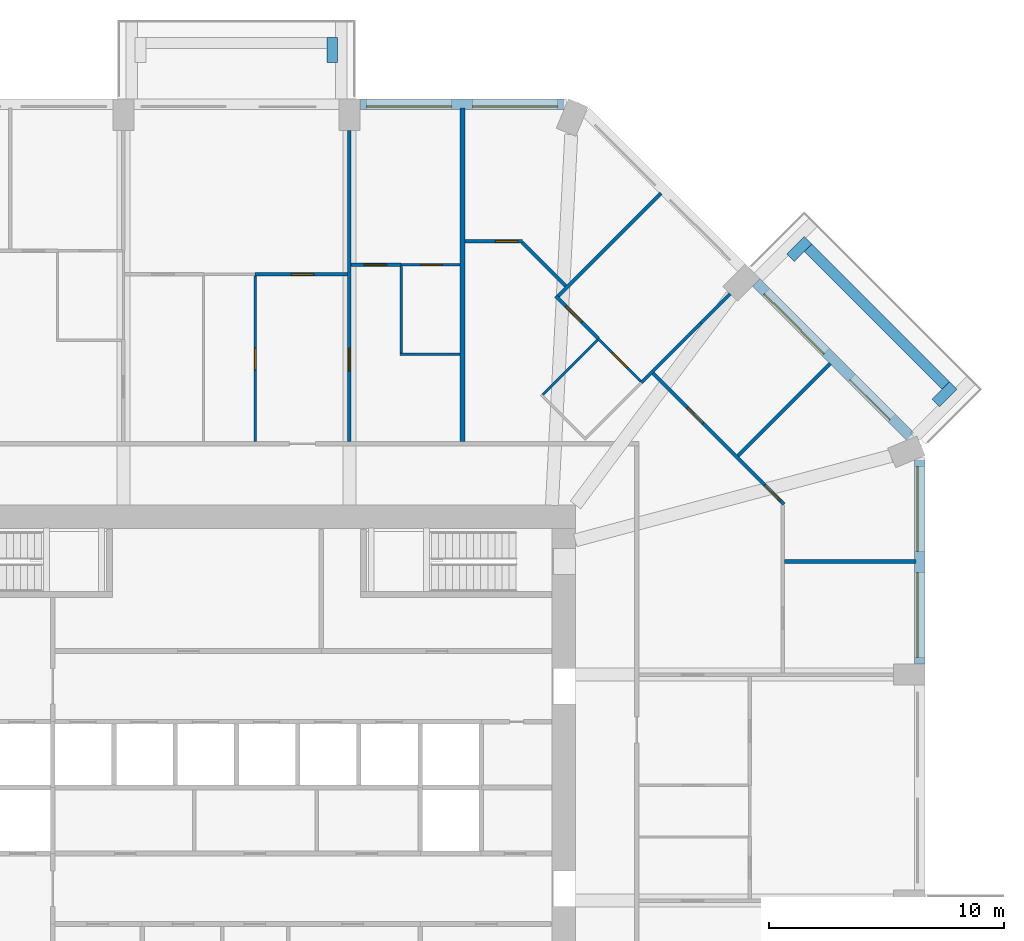
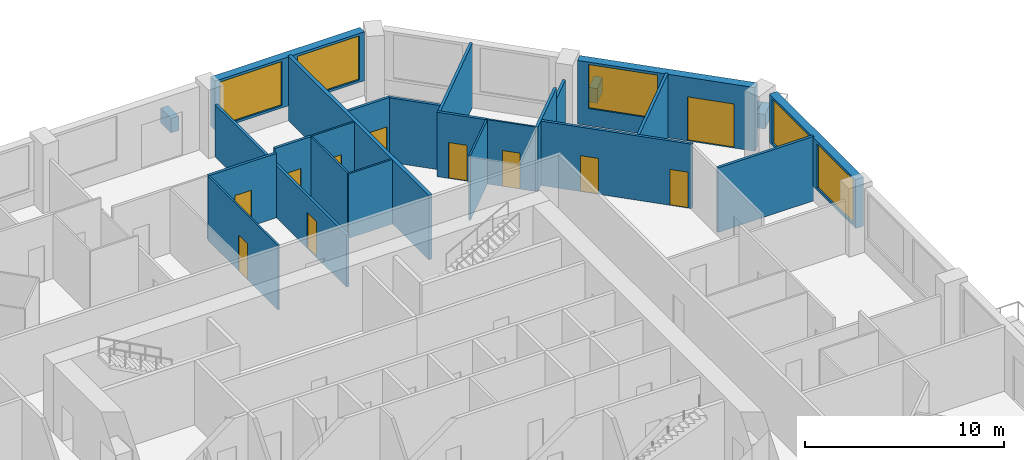
# One storey, part 10 of 13: 26 walls, 11 doors, 5 windows, 16 openings.
"""IFC4 building model written with IfcOpenShell, lengths in metres."""

import ifcopenshell
import ifcopenshell.guid

model = None  # the IFC model being written
_history = None  # IfcOwnerHistory: only IFC2X3 demands one
_inside = {}  # id of a spatial element -> (the spatial element, [elements in it])
_under = {}  # id of a project, library or spatial element -> (it, [spatial elements below it])
_declared = {}  # id of a project -> (the project, [libraries it declares])
_typed = {}  # id of a type object -> (the type object, [elements of that type])
_made_of = {}  # id of a material, layer set ... -> (it, [elements and type objects made of it])


def new_model(schema):
    """Start an empty IFC model of exactly this schema.

    Asked for "IFC4X3", IfcOpenShell would pick the latest addendum, in which some entities
    have other attributes; the version numbers below select the first issue.
    IFC2X3 requires an IfcOwnerHistory on every rooted entity: one is made here for all.
    """
    global model, _history
    if schema == "IFC4X3":
        model = ifcopenshell.file(schema_version=(4, 3, 0, 0))
    else:
        model = ifcopenshell.file(schema=schema)
    _inside.clear()
    _under.clear()
    _declared.clear()
    _typed.clear()
    _made_of.clear()
    _history = None
    if model.schema == "IFC2X3":
        org = make("IfcOrganization", Name="unknown")
        user = make(
            "IfcPersonAndOrganization",
            ThePerson=make("IfcPerson", FamilyName="unknown"),
            TheOrganization=org,
        )
        app = make(
            "IfcApplication",
            ApplicationDeveloper=org,
            Version="unknown",
            ApplicationFullName="unknown",
            ApplicationIdentifier="unknown",
        )
        _history = make(
            "IfcOwnerHistory",
            OwningUser=user,
            OwningApplication=app,
            ChangeAction="ADDED",
            CreationDate=0,
        )
    return model


def make(cls, **values):
    """One entity of the class cls with the attributes given. An attribute that is None is left unset."""
    return model.create_entity(
        cls, **{name: value for name, value in values.items() if value is not None}
    )


def rooted(cls, **values):
    """An entity with a GlobalId (a new one), such as an element, a storey or a relation."""
    return make(cls, GlobalId=ifcopenshell.guid.new(), OwnerHistory=_history, **values)


def si_unit(unit_type, name, prefix=None):
    """IfcSIUnit, for example si_unit("LENGTHUNIT", "METRE", prefix="MILLI")."""
    return make("IfcSIUnit", UnitType=unit_type, Prefix=prefix, Name=name)


def assignment(units):
    """IfcUnitAssignment: the units of a project."""
    return None if units is None else make("IfcUnitAssignment", Units=units)


def point(xyz):
    """IfcCartesianPoint."""
    return None if xyz is None else make("IfcCartesianPoint", Coordinates=xyz)


def direction(xyz):
    """IfcDirection."""
    return None if xyz is None else make("IfcDirection", DirectionRatios=xyz)


def frame(location, z_axis=None, x_axis=None):
    """IfcAxis2Placement3D, a coordinate frame: its origin and axes. An axis left out is left unset."""
    return make(
        "IfcAxis2Placement3D",
        Location=point(location),
        Axis=direction(z_axis),
        RefDirection=direction(x_axis),
    )


def frame_2d(location, x_axis=None):
    """IfcAxis2Placement2D, a coordinate frame in the plane: its origin and x axis."""
    return make(
        "IfcAxis2Placement2D", Location=point(location), RefDirection=direction(x_axis)
    )


def origin():
    """The frame at (0, 0, 0) with its axes left unset."""
    return frame((0.0, 0.0, 0.0))


def place(relative_to, where):
    """IfcLocalPlacement: puts the frame where relative to a parent placement (None: the world)."""
    return make(
        "IfcLocalPlacement", PlacementRelTo=relative_to, RelativePlacement=where
    )


def context(
    kind, dimensions, precision=None, world=None, true_north=None, identifier=None
):
    """IfcGeometricRepresentationContext, for example the 3D "Model" context."""
    return make(
        "IfcGeometricRepresentationContext",
        ContextIdentifier=identifier,
        ContextType=kind,
        CoordinateSpaceDimension=dimensions,
        Precision=precision,
        WorldCoordinateSystem=world,
        TrueNorth=true_north,
    )


def subcontext(parent, identifier, kind, view, scale=None):
    """IfcGeometricRepresentationSubContext, for example "Body" below "Model"."""
    return make(
        "IfcGeometricRepresentationSubContext",
        ContextIdentifier=identifier,
        ContextType=kind,
        ParentContext=parent,
        TargetScale=scale,
        TargetView=view,
    )


def project(units=None, contexts=None):
    """IfcProject with its units and contexts."""
    return rooted(
        "IfcProject",
        Name="project",
        RepresentationContexts=contexts,
        UnitsInContext=assignment(units),
    )


def spatial(cls, under=None, at=None, **own):
    """A site, building, storey or space (cls), placed at a placement, below another one or the project."""
    s = rooted(cls, ObjectPlacement=at, **own)
    if under is not None:
        _under.setdefault(under.id(), (under, []))[1].append(s)
    return s


def profile(cls, at=None, kind="AREA", **sizes):
    """A parametric profile (cls). Its sizes go by their IFC names, for example OverallWidth=200.0."""
    return make(cls, ProfileType=kind, Position=at, **sizes)


def rectangle(**sizes):
    """IfcRectangleProfileDef."""
    return profile("IfcRectangleProfileDef", **sizes)


def extrude(swept, where, along, depth):
    """IfcExtrudedAreaSolid: the profile swept, set in the frame where, extruded along a direction by depth."""
    return make(
        "IfcExtrudedAreaSolid",
        SweptArea=swept,
        Position=where,
        ExtrudedDirection=direction(along),
        Depth=depth,
    )


def shape(context_of_items, identifier, shape_type, items):
    """IfcShapeRepresentation: the items that make up one representation, for example the "Body"."""
    return make(
        "IfcShapeRepresentation",
        ContextOfItems=context_of_items,
        RepresentationIdentifier=identifier,
        RepresentationType=shape_type,
        Items=items,
    )


def material(Name=None, Category=None):
    """IfcMaterial."""
    return make("IfcMaterial", Name=Name, Category=Category)


def layer(
    of_material, thickness, ventilated=None, Name=None, Category=None, Priority=None
):
    """IfcMaterialLayer: one layer of a wall or slab, of a material (None: an air gap)."""
    return make(
        "IfcMaterialLayer",
        Material=of_material,
        LayerThickness=thickness,
        IsVentilated=ventilated,
        Name=Name,
        Category=Category,
        Priority=Priority,
    )


def layer_set(layers, Name=None):
    """IfcMaterialLayerSet."""
    return make("IfcMaterialLayerSet", MaterialLayers=layers, LayerSetName=Name)


def made_of(thing, what):
    """Note that an element or type object is made of a material, layer set ...; save() writes the relation."""
    if what is not None:
        _made_of.setdefault(what.id(), (what, []))[1].append(thing)
    return thing


def type_object(cls, material=None, **own):
    """A type object (cls), such as IfcWallType, which elements share."""
    return made_of(rooted(cls, **own), material)


def element(
    cls,
    number,
    at=None,
    inside=None,
    cuts=None,
    type_object=None,
    material=None,
    context=None,
    identifier="Body",
    shape_type=None,
    held_by="IfcProductDefinitionShape",
    body=None,
    shapes=None,
    **own,
):
    """One element of the class cls, such as IfcWall. Its Tag is "e" and its number.

    at: its placement. inside: the storey or other place that contains it. cuts: it is an
    opening in that element (IfcRelVoidsElement). A single representation is given by context,
    identifier, shape_type and body (its items); several are given by shapes. held_by: the class
    of the entity that holds the representations. save() writes the other relations.
    """
    e = rooted(cls, Tag="e%d" % number, ObjectPlacement=at, **own)
    if body is not None:
        shapes = [shape(context, identifier, shape_type, body)]
    if shapes is not None:
        e.Representation = make(held_by, Representations=shapes)
    if inside is not None:
        _inside.setdefault(inside.id(), (inside, []))[1].append(e)
    if cuts is not None:
        rooted(
            "IfcRelVoidsElement", RelatingBuildingElement=cuts, RelatedOpeningElement=e
        )
    if type_object is not None:
        _typed.setdefault(type_object.id(), (type_object, []))[1].append(e)
    return made_of(e, material)


def fill(opening, filler):
    """IfcRelFillsElement: the door or window that sits in an opening."""
    return rooted(
        "IfcRelFillsElement",
        RelatingOpeningElement=opening,
        RelatedBuildingElement=filler,
    )


def aggregate(whole, parts):
    """IfcRelAggregates: a whole, such as a stair, and the parts it consists of."""
    return rooted("IfcRelAggregates", RelatingObject=whole, RelatedObjects=parts)


def save(model, path):
    """Write the relations noted so far, then the file.

    IfcRelAggregates (storeys below a building ...), IfcRelContainedInSpatialStructure (elements
    in a storey), IfcRelDefinesByType, IfcRelAssociatesMaterial and IfcRelDeclares: one each for
    every whole, place, type object, material and project.
    """
    for whole, parts in _under.values():
        aggregate(whole, parts)
    for where, things in _inside.values():
        rooted(
            "IfcRelContainedInSpatialStructure",
            RelatedElements=things,
            RelatingStructure=where,
        )
    for kind, things in _typed.values():
        rooted("IfcRelDefinesByType", RelatedObjects=things, RelatingType=kind)
    for what, things in _made_of.values():
        rooted("IfcRelAssociatesMaterial", RelatedObjects=things, RelatingMaterial=what)
    for by, libraries in _declared.values():
        rooted("IfcRelDeclares", RelatingContext=by, RelatedDefinitions=libraries)
    model.write(path)


model = new_model("IFC4")

# Units and contexts
model_context = context("Model", 3, precision=1e-05, world=origin(), true_north=direction((0.0, 1.0)))
body_context = subcontext(model_context, "Body", "Model", "MODEL_VIEW")
ifc_project = project(units=[si_unit("LENGTHUNIT", "METRE"), si_unit("AREAUNIT", "SQUARE_METRE"), si_unit("VOLUMEUNIT", "CUBIC_METRE"), si_unit("PLANEANGLEUNIT", "RADIAN"), si_unit("MASSUNIT", "GRAM", prefix="KILO")], contexts=[model_context])

# Site, building, storey
site_placement = place(None, origin())
site = spatial("IfcSite", under=ifc_project, at=site_placement, CompositionType="ELEMENT")
building_placement = place(site_placement, origin())
building = spatial("IfcBuilding", under=site, at=building_placement, Name="Msitu Wima Residences", CompositionType="ELEMENT")
storey_placement = place(building_placement, frame((0.0, 0.0, 50.699951171875)))
storey = spatial("IfcBuildingStorey", under=building, at=storey_placement, Name="L11", CompositionType="ELEMENT", Elevation=50.699951171875)

# Walls
ifc_material_1 = material(Name="Facing brick")
ifc_layer_1 = layer(ifc_material_1, 0.06494140625, Name="Facing brick")
ifc_material_2 = material(Name="Concrete C40/50", Category="concrete")
ifc_layer_2 = layer(ifc_material_2, 0.156005859375, Name="Concrete C40/50")
ifc_material_3 = material(Name="Waterproofing membrane")
ifc_layer_3 = layer(ifc_material_3, 0.00390625, Name="Waterproofing membrane")
ifc_material_4 = material(Name="Planting soil and planting")
ifc_layer_4 = layer(ifc_material_4, 0.22509765625, Name="Planting soil and planting")
ifc_layer_set_1 = layer_set([ifc_layer_1, ifc_layer_2, ifc_layer_3, ifc_layer_4], Name="Concrete C40/50")
wall_type_1 = type_object("IfcWallType", Name="Balcony planter PLANTER PL450", PredefinedType="USERDEFINED", material=ifc_layer_set_1)
wall_1_placement = place(storey_placement, frame((30.125732421875, 17.0693359375, 0.0), z_axis=(0.0, 0.0, 1.0), x_axis=(-0.707106781187, 0.707106781187, 0.0)))
element("IfcWall", 1, at=wall_1_placement, inside=storey, type_object=wall_type_1, Name="Balcony planter NE0 L11", ObjectType="PLANTER", PredefinedType="USERDEFINED", context=body_context, shape_type="SweptSolid", body=[
    extrude(rectangle(XDim=8.2822265625, YDim=0.449951171875, at=frame_2d((4.14111328125, 0.0))), origin(), (0.0, 0.0, 1.0), 0.900146484375),
])
for number, where, z_axis, x_axis, name in (
    (2, (29.70166015625, 16.326904296875, 0.0), (0.0, 0.0, 1.0), (0.707106781187, 0.707106781187, 0.0), "Balcony planter NE0 L11"),
    (3, (23.52685546875, 22.50146484375, 0.0), (0.0, 0.0, 1.0), (0.706990528533, 0.707223014731, 0.0), "Balcony planter NE0 L11"),
    (4, (4.074951171875, 30.800048828125, 0.0), (0.0, 0.0, 1.0), (0.0, 1.0, 0.0), "Balcony planter N1 L11"),
):
    element("IfcWall", number, at=place(storey_placement, frame(where, z_axis=z_axis, x_axis=x_axis)), inside=storey, type_object=wall_type_1, Name=name, ObjectType="PLANTER", PredefinedType="USERDEFINED", context=body_context, shape_type="SweptSolid", body=[
        extrude(rectangle(XDim=1.050048828125, YDim=0.449951171875, at=frame_2d((0.52490234375, 0.0))), origin(), (0.0, 0.0, 1.0), 0.900146484375),
    ])

# Wall, openings, windows
ifc_material_5 = material(Name="Brick (red buff mix)", Category="masonry")
ifc_layer_5 = layer(ifc_material_5, 0.449951171875)
ifc_layer_set_2 = layer_set([ifc_layer_5], Name="Brick (red buff mix)")
wall_type_2 = type_object("IfcWallType", Name="Brick infill wall BW450", PredefinedType="SOLIDWALL", material=ifc_layer_set_2)
wall_2_placement = place(storey_placement, frame((29.02490234375, 5.25, 0.900146484375), z_axis=(0.0, 0.0, 1.0), x_axis=(0.0, 1.0, 0.0)))
wall_2 = element("IfcWall", 5, at=wall_2_placement, inside=storey, type_object=wall_type_2, Name="Brick infill wall L11 E2", PredefinedType="SOLIDWALL", context=body_context, shape_type="SweptSolid", body=[
    extrude(rectangle(XDim=8.662841796875, YDim=0.449951171875, at=frame_2d((4.33154296875, 0.0))), origin(), (0.0, 0.0, 1.0), 3.0),
])
opening_1_placement = place(wall_2_placement, frame((0.281494140625, 0.0, 0.14990234375)))
opening_1 = element("IfcOpeningElement", 6, at=opening_1_placement, cuts=wall_2, Name="Opening W11-12.004", PredefinedType="OPENING", context=body_context, shape_type="SweptSolid", body=[
    extrude(rectangle(XDim=3.60009765625, YDim=2.699951171875, at=frame_2d((1.800048828125, 1.35009765625))), frame((0.0, 0.23486328125, 0.0), z_axis=(0.0, -1.0, 0.0), x_axis=(1.0, 0.0, 0.0)), (0.0, 0.0, 1.0), 0.469970703125),
])
opening_2_placement = place(wall_2_placement, frame((4.781494140625, 0.0, 0.14990234375)))
opening_2 = element("IfcOpeningElement", 7, at=opening_2_placement, cuts=wall_2, Name="Opening W11-12.005", PredefinedType="OPENING", context=body_context, shape_type="SweptSolid", body=[
    extrude(rectangle(XDim=3.60009765625, YDim=2.699951171875, at=frame_2d((1.800048828125, 1.35009765625))), frame((0.0, 0.23486328125, 0.0), z_axis=(0.0, -1.0, 0.0), x_axis=(1.0, 0.0, 0.0)), (0.0, 0.0, 1.0), 0.469970703125),
])
ifc_material_6 = material(Name="Anodised aluminium, bronze finish, clear low-emissivity double glazing", Category="aluminium")
window_type = type_object("IfcWindowType", Name="Window W3600x2700", PartitioningType="DOUBLE_PANEL_VERTICAL", PredefinedType="WINDOW", material=ifc_material_6)
window_1_placement = place(opening_1_placement, origin())
window_1 = element("IfcWindow", 8, at=window_1_placement, inside=storey, type_object=window_type, Name="Window L11 E2.1", OverallHeight=2.699951171875, OverallWidth=3.60009765625, PartitioningType="SINGLE_PANEL", PredefinedType="WINDOW", context=body_context, shape_type="SweptSolid", body=[
    extrude(rectangle(XDim=3.60009765625, YDim=2.699951171875, at=frame_2d((1.800048828125, 1.35009765625))), frame((0.0, 0.135009765625, 0.0), z_axis=(0.0, -1.0, 0.0), x_axis=(1.0, 0.0, 0.0)), (0.0, 0.0, 1.0), 0.06005859375),
])
fill(opening_1, window_1)
window_2_placement = place(opening_2_placement, origin())
window_2 = element("IfcWindow", 9, at=window_2_placement, inside=storey, type_object=window_type, Name="Window L11 E2.2", OverallHeight=2.699951171875, OverallWidth=3.60009765625, PartitioningType="SINGLE_PANEL", PredefinedType="WINDOW", context=body_context, shape_type="SweptSolid", body=[
    extrude(rectangle(XDim=3.60009765625, YDim=2.699951171875, at=frame_2d((1.800048828125, 1.35009765625))), frame((0.0, 0.135009765625, 0.0), z_axis=(0.0, -1.0, 0.0), x_axis=(1.0, 0.0, 0.0)), (0.0, 0.0, 1.0), 0.06005859375),
])
fill(opening_2, window_2)

# Wall, openings, door, window
wall_3_placement = place(storey_placement, frame((28.61474609375, 14.903564453125, 0.0), z_axis=(0.0, 0.0, 1.0), x_axis=(-0.707106781187, 0.707106781187, 0.0)))
wall_3 = element("IfcWall", 10, at=wall_3_placement, inside=storey, type_object=wall_type_2, Name="Brick infill wall L11 NE0", PredefinedType="SOLIDWALL", context=body_context, shape_type="SweptSolid", body=[
    extrude(rectangle(XDim=9.2451171875, YDim=0.449951171875, at=frame_2d((4.62255859375, 0.0))), origin(), (0.0, 0.0, 1.0), 3.900146484375),
])
opening_3_placement = place(wall_3_placement, frame((1.111328125, 0.0, 0.0)))
opening_3 = element("IfcOpeningElement", 11, at=opening_3_placement, cuts=wall_3, Name="Opening D11-12.003", PredefinedType="OPENING", context=body_context, shape_type="SweptSolid", body=[
    extrude(rectangle(XDim=2.39990234375, YDim=2.699951171875, at=frame_2d((1.199951171875, 1.35009765625))), frame((0.0, 0.23486328125, 0.0), z_axis=(0.0, -1.0, 0.0), x_axis=(1.0, 0.0, 0.0)), (0.0, 0.0, 1.0), 0.469970703125),
])
opening_4_placement = place(wall_3_placement, frame((5.072509765625, 0.0, 1.050048828125)))
opening_4 = element("IfcOpeningElement", 12, at=opening_4_placement, cuts=wall_3, Name="Opening W11-12.011", PredefinedType="OPENING", context=body_context, shape_type="SweptSolid", body=[
    extrude(rectangle(XDim=3.60009765625, YDim=2.699951171875, at=frame_2d((1.800048828125, 1.35009765625))), frame((0.0, 0.23486328125, 0.0), z_axis=(0.0, -1.0, 0.0), x_axis=(1.0, 0.0, 0.0)), (0.0, 0.0, 1.0), 0.469970703125),
])
door_type_1 = type_object("IfcDoorType", Name="Balcony door D2400x2700", OperationType="SLIDING_TO_LEFT", PredefinedType="DOOR", material=ifc_material_6)
door_1_placement = place(opening_3_placement, origin())
door_1 = element("IfcDoor", 13, at=door_1_placement, inside=storey, type_object=door_type_1, Name="Balcony door L11 NE0", OperationType="SINGLE_SWING_LEFT", OverallHeight=2.699951171875, OverallWidth=2.39990234375, PredefinedType="DOOR", context=body_context, shape_type="SweptSolid", body=[
    extrude(rectangle(XDim=2.39990234375, YDim=2.699951171875, at=frame_2d((1.199951171875, 1.35009765625))), frame((0.0, 0.1298828125, 0.0), z_axis=(0.0, -1.0, 0.0), x_axis=(1.0, 0.0, 0.0)), (0.0, 0.0, 1.0), 0.050048828125),
])
fill(opening_3, door_1)
window_3_placement = place(opening_4_placement, origin())
window_3 = element("IfcWindow", 14, at=window_3_placement, inside=storey, type_object=window_type, Name="Window L11 NE0.2", OverallHeight=2.699951171875, OverallWidth=3.60009765625, PartitioningType="SINGLE_PANEL", PredefinedType="WINDOW", context=body_context, shape_type="SweptSolid", body=[
    extrude(rectangle(XDim=3.60009765625, YDim=2.699951171875, at=frame_2d((1.800048828125, 1.35009765625))), frame((0.0, 0.135009765625, 0.0), z_axis=(0.0, -1.0, 0.0), x_axis=(1.0, 0.0, 0.0)), (0.0, 0.0, 1.0), 0.06005859375),
])
fill(opening_4, window_3)

# Wall, openings, windows
wall_4_placement = place(storey_placement, frame((13.912841796875, 29.02490234375, 0.900146484375), z_axis=(0.0, 0.0, 1.0), x_axis=(-1.0, 0.0, 0.0)))
wall_4 = element("IfcWall", 15, at=wall_4_placement, inside=storey, type_object=wall_type_2, Name="Brick infill wall L11 N0", PredefinedType="SOLIDWALL", context=body_context, shape_type="SweptSolid", body=[
    extrude(rectangle(XDim=8.662841796875, YDim=0.449951171875, at=frame_2d((4.33154296875, 0.0))), origin(), (0.0, 0.0, 1.0), 3.0),
])
opening_5_placement = place(wall_4_placement, frame((0.281494140625, 0.0, 0.14990234375)))
opening_5 = element("IfcOpeningElement", 16, at=opening_5_placement, cuts=wall_4, Name="Opening W11-12.006", PredefinedType="OPENING", context=body_context, shape_type="SweptSolid", body=[
    extrude(rectangle(XDim=3.60009765625, YDim=2.699951171875, at=frame_2d((1.800048828125, 1.35009765625))), frame((0.0, 0.23486328125, 0.0), z_axis=(0.0, -1.0, 0.0), x_axis=(1.0, 0.0, 0.0)), (0.0, 0.0, 1.0), 0.469970703125),
])
opening_6_placement = place(wall_4_placement, frame((4.781494140625, 0.0, 0.14990234375)))
opening_6 = element("IfcOpeningElement", 17, at=opening_6_placement, cuts=wall_4, Name="Opening W11-12.007", PredefinedType="OPENING", context=body_context, shape_type="SweptSolid", body=[
    extrude(rectangle(XDim=3.60009765625, YDim=2.699951171875, at=frame_2d((1.800048828125, 1.35009765625))), frame((0.0, 0.23486328125, 0.0), z_axis=(0.0, -1.0, 0.0), x_axis=(1.0, 0.0, 0.0)), (0.0, 0.0, 1.0), 0.469970703125),
])
window_4_placement = place(opening_5_placement, origin())
window_4 = element("IfcWindow", 18, at=window_4_placement, inside=storey, type_object=window_type, Name="Window L11 N0.1", OverallHeight=2.699951171875, OverallWidth=3.60009765625, PartitioningType="SINGLE_PANEL", PredefinedType="WINDOW", context=body_context, shape_type="SweptSolid", body=[
    extrude(rectangle(XDim=3.60009765625, YDim=2.699951171875, at=frame_2d((1.800048828125, 1.35009765625))), frame((0.0, 0.135009765625, 0.0), z_axis=(0.0, -1.0, 0.0), x_axis=(1.0, 0.0, 0.0)), (0.0, 0.0, 1.0), 0.06005859375),
])
fill(opening_5, window_4)
window_5_placement = place(opening_6_placement, origin())
window_5 = element("IfcWindow", 19, at=window_5_placement, inside=storey, type_object=window_type, Name="Window L11 N0.2", OverallHeight=2.699951171875, OverallWidth=3.60009765625, PartitioningType="SINGLE_PANEL", PredefinedType="WINDOW", context=body_context, shape_type="SweptSolid", body=[
    extrude(rectangle(XDim=3.60009765625, YDim=2.699951171875, at=frame_2d((1.800048828125, 1.35009765625))), frame((0.0, 0.135009765625, 0.0), z_axis=(0.0, -1.0, 0.0), x_axis=(1.0, 0.0, 0.0)), (0.0, 0.0, 1.0), 0.06005859375),
])
fill(opening_6, window_5)

# Wall, opening, door
ifc_material_7 = material(Name="Plaster")
ifc_layer_6 = layer(ifc_material_7, 0.011962890625, Name="Plaster")
ifc_material_8 = material(Name="Concrete blockwork", Category="masonry")
ifc_layer_7 = layer(ifc_material_8, 0.1259765625, Name="Concrete blockwork")
ifc_layer_8 = layer(ifc_material_7, 0.011962890625, Name="Plaster")
ifc_layer_set_3 = layer_set([ifc_layer_6, ifc_layer_7, ifc_layer_8], Name="Concrete blockwork")
wall_type_3 = type_object("IfcWallType", Name="Partition PW150", PredefinedType="PARTITIONING", material=ifc_layer_set_3)
wall_5_placement = place(storey_placement, frame((0.780029296875, 21.800048828125, 0.0), z_axis=(0.0, 0.0, 1.0), x_axis=(1.0, 0.0, 0.0)))
wall_5 = element("IfcWall", 20, at=wall_5_placement, inside=storey, type_object=wall_type_3, Name="Partition", PredefinedType="PARTITIONING", context=body_context, shape_type="SweptSolid", body=[
    extrude(rectangle(XDim=3.945068359375, YDim=0.14990234375, at=frame_2d((1.97265625, 0.0))), origin(), (0.0, 0.0, 1.0), 3.949951171875),
])
opening_7_placement = place(wall_5_placement, frame((1.550048828125, 0.0, 0.0)))
opening_7 = element("IfcOpeningElement", 21, at=opening_7_placement, cuts=wall_5, Name="Opening D11-12.043", PredefinedType="OPENING", context=body_context, shape_type="SweptSolid", body=[
    extrude(rectangle(XDim=0.949951171875, YDim=2.199951171875, at=frame_2d((0.47509765625, 1.10009765625))), frame((0.0, 0.0849609375, 0.0), z_axis=(0.0, -1.0, 0.0), x_axis=(1.0, 0.0, 0.0)), (0.0, 0.0, 1.0), 0.169921875),
])
ifc_material_9 = material(Name="Timber flush door", Category="wood")
door_type_2 = type_object("IfcDoorType", Name="Room door D12 950x2200", OperationType="SINGLE_SWING_LEFT", PredefinedType="DOOR", material=ifc_material_9)
door_2_placement = place(opening_7_placement, origin())
door_2 = element("IfcDoor", 22, at=door_2_placement, inside=storey, type_object=door_type_2, Name="Room door", OperationType="SINGLE_SWING_RIGHT", OverallHeight=2.199951171875, OverallWidth=0.949951171875, PredefinedType="DOOR", context=body_context, shape_type="SweptSolid", body=[
    extrude(rectangle(XDim=0.949951171875, YDim=2.199951171875, at=frame_2d((0.47509765625, 1.10009765625))), frame((0.0, 0.02490234375, 0.0), z_axis=(0.0, -1.0, 0.0), x_axis=(1.0, 0.0, 0.0)), (0.0, 0.0, 1.0), 0.050048828125),
])
fill(opening_7, door_2)

wall_6_placement = place(storey_placement, frame((4.800048828125, 14.699951171875, 0.0), z_axis=(0.0, 0.0, 1.0), x_axis=(0.0, 1.0, 0.0)))
wall_6 = element("IfcWall", 23, at=wall_6_placement, inside=storey, type_object=wall_type_3, Name="Partition", PredefinedType="PARTITIONING", context=body_context, shape_type="SweptSolid", body=[
    extrude(rectangle(XDim=13.199951171875, YDim=0.14990234375, at=frame_2d((6.60009765625, 0.0))), origin(), (0.0, 0.0, 1.0), 3.199951171875),
])
opening_8_placement = place(wall_6_placement, frame((3.0, 0.0, 0.0)))
opening_8 = element("IfcOpeningElement", 24, at=opening_8_placement, cuts=wall_6, Name="Opening D11-12.042", PredefinedType="OPENING", context=body_context, shape_type="SweptSolid", body=[
    extrude(rectangle(XDim=0.949951171875, YDim=2.199951171875, at=frame_2d((0.47509765625, 1.10009765625))), frame((0.0, 0.0849609375, 0.0), z_axis=(0.0, -1.0, 0.0), x_axis=(1.0, 0.0, 0.0)), (0.0, 0.0, 1.0), 0.169921875),
])
door_3_placement = place(opening_8_placement, origin())
door_3 = element("IfcDoor", 25, at=door_3_placement, inside=storey, type_object=door_type_2, Name="Room door", OperationType="SINGLE_SWING_LEFT", OverallHeight=2.199951171875, OverallWidth=0.949951171875, PredefinedType="DOOR", context=body_context, shape_type="SweptSolid", body=[
    extrude(rectangle(XDim=0.949951171875, YDim=2.199951171875, at=frame_2d((0.47509765625, 1.10009765625))), frame((0.0, 0.02490234375, 0.0), z_axis=(0.0, -1.0, 0.0), x_axis=(1.0, 0.0, 0.0)), (0.0, 0.0, 1.0), 0.050048828125),
])
fill(opening_8, door_3)

wall_7_placement = place(storey_placement, frame((4.875, 22.199951171875, 0.0), z_axis=(0.0, 0.0, 1.0), x_axis=(1.0, 0.0, 0.0)))
wall_7 = element("IfcWall", 26, at=wall_7_placement, inside=storey, type_object=wall_type_3, Name="Partition", PredefinedType="PARTITIONING", context=body_context, shape_type="SweptSolid", body=[
    extrude(rectangle(XDim=2.10498046875, YDim=0.14990234375, at=frame_2d((1.052490234375, 0.0))), origin(), (0.0, 0.0, 1.0), 3.949951171875),
])
opening_9_placement = place(wall_7_placement, frame((0.550048828125, 0.0, 0.0)))
opening_9 = element("IfcOpeningElement", 27, at=opening_9_placement, cuts=wall_7, Name="Opening D11-12.045", PredefinedType="OPENING", context=body_context, shape_type="SweptSolid", body=[
    extrude(rectangle(XDim=0.949951171875, YDim=2.199951171875, at=frame_2d((0.47509765625, 1.10009765625))), frame((0.0, 0.0849609375, 0.0), z_axis=(0.0, -1.0, 0.0), x_axis=(1.0, 0.0, 0.0)), (0.0, 0.0, 1.0), 0.169921875),
])
door_4_placement = place(opening_9_placement, origin())
door_4 = element("IfcDoor", 28, at=door_4_placement, inside=storey, type_object=door_type_2, Name="Room door", OperationType="SINGLE_SWING_LEFT", OverallHeight=2.199951171875, OverallWidth=0.949951171875, PredefinedType="DOOR", context=body_context, shape_type="SweptSolid", body=[
    extrude(rectangle(XDim=0.949951171875, YDim=2.199951171875, at=frame_2d((0.47509765625, 1.10009765625))), frame((0.0, 0.02490234375, 0.0), z_axis=(0.0, -1.0, 0.0), x_axis=(1.0, 0.0, 0.0)), (0.0, 0.0, 1.0), 0.050048828125),
])
fill(opening_9, door_4)

wall_8_placement = place(storey_placement, frame((9.699951171875, 23.199951171875, 0.0), z_axis=(0.0, 0.0, 1.0), x_axis=(1.0, 0.0, 0.0)))
wall_8 = element("IfcWall", 29, at=wall_8_placement, inside=storey, type_object=wall_type_3, Name="Partition", PredefinedType="PARTITIONING", context=body_context, shape_type="SweptSolid", body=[
    extrude(rectangle(XDim=2.45556640625, YDim=0.14990234375, at=frame_2d((1.227783203125, 0.0))), origin(), (0.0, 0.0, 1.0), 3.949951171875),
])
opening_10_placement = place(wall_8_placement, frame((1.300048828125, 0.0, 0.0)))
opening_10 = element("IfcOpeningElement", 30, at=opening_10_placement, cuts=wall_8, Name="Opening D11-12.090", PredefinedType="OPENING", context=body_context, shape_type="SweptSolid", body=[
    extrude(rectangle(XDim=0.949951171875, YDim=2.199951171875, at=frame_2d((0.47509765625, 1.10009765625))), frame((0.0, 0.0849609375, 0.0), z_axis=(0.0, -1.0, 0.0), x_axis=(1.0, 0.0, 0.0)), (0.0, 0.0, 1.0), 0.169921875),
])
door_5_placement = place(opening_10_placement, origin())
door_5 = element("IfcDoor", 31, at=door_5_placement, inside=storey, type_object=door_type_2, Name="Room door", OperationType="SINGLE_SWING_LEFT", OverallHeight=2.199951171875, OverallWidth=0.949951171875, PredefinedType="DOOR", context=body_context, shape_type="SweptSolid", body=[
    extrude(rectangle(XDim=0.949951171875, YDim=2.199951171875, at=frame_2d((0.47509765625, 1.10009765625))), frame((0.0, 0.02490234375, 0.0), z_axis=(0.0, -1.0, 0.0), x_axis=(1.0, 0.0, 0.0)), (0.0, 0.0, 1.0), 0.050048828125),
])
fill(opening_10, door_5)

# Wall
wall_9_placement = place(storey_placement, frame((12.133544921875, 23.14697265625, 0.0), z_axis=(0.0, 0.0, 1.0), x_axis=(0.707060213517, -0.70715334579, 0.0)))
element("IfcWall", 32, at=wall_9_placement, inside=storey, type_object=wall_type_3, Name="Partition", PredefinedType="PARTITIONING", context=body_context, shape_type="SweptSolid", body=[
    extrude(rectangle(XDim=2.621337890625, YDim=0.14990234375, at=frame_2d((1.310546875, 0.0))), origin(), (0.0, 0.0, 1.0), 3.949951171875),
])

# Wall, opening, door
wall_10_placement = place(storey_placement, frame((13.56298828125, 20.868896484375, 0.0), z_axis=(0.0, 0.0, 1.0), x_axis=(0.707106781187, -0.707106781187, 0.0)))
wall_10 = element("IfcWall", 33, at=wall_10_placement, inside=storey, type_object=wall_type_3, Name="Partition", PredefinedType="PARTITIONING", context=body_context, shape_type="SweptSolid", body=[
    extrude(rectangle(XDim=2.5458984375, YDim=0.14990234375, at=frame_2d((1.27294921875, 0.0))), origin(), (0.0, 0.0, 1.0), 3.949951171875),
])
opening_11_placement = place(wall_10_placement, frame((0.60009765625, 0.0, 0.0)))
opening_11 = element("IfcOpeningElement", 34, at=opening_11_placement, cuts=wall_10, Name="Opening D11-12.087", PredefinedType="OPENING", context=body_context, shape_type="SweptSolid", body=[
    extrude(rectangle(XDim=0.949951171875, YDim=2.199951171875, at=frame_2d((0.47509765625, 1.10009765625))), frame((0.0, 0.0849609375, 0.0), z_axis=(0.0, -1.0, 0.0), x_axis=(1.0, 0.0, 0.0)), (0.0, 0.0, 1.0), 0.169921875),
])
door_6_placement = place(opening_11_placement, origin())
door_6 = element("IfcDoor", 35, at=door_6_placement, inside=storey, type_object=door_type_2, Name="Room door", OperationType="SINGLE_SWING_LEFT", OverallHeight=2.199951171875, OverallWidth=0.949951171875, PredefinedType="DOOR", context=body_context, shape_type="SweptSolid", body=[
    extrude(rectangle(XDim=0.949951171875, YDim=2.199951171875, at=frame_2d((0.47509765625, 1.10009765625))), frame((0.0, 0.02490234375, 0.0), z_axis=(0.0, -1.0, 0.0), x_axis=(1.0, 0.0, 0.0)), (0.0, 0.0, 1.0), 0.050048828125),
])
fill(opening_11, door_6)

# Walls
wall_11_placement = place(storey_placement, frame((13.6689453125, 20.868896484375, 0.0), z_axis=(0.0, 0.0, 1.0), x_axis=(0.707106781187, 0.707106781187, 0.0)))
element("IfcWall", 36, at=wall_11_placement, inside=storey, type_object=wall_type_3, Name="Partition", PredefinedType="PARTITIONING", context=body_context, shape_type="SweptSolid", body=[
    extrude(rectangle(XDim=6.179931640625, YDim=0.14990234375, at=frame_2d((3.08984375, 0.0))), origin(), (0.0, 0.0, 1.0), 3.949951171875),
])
wall_12_placement = place(storey_placement, frame((17.201904296875, 17.201904296875, 0.0), z_axis=(0.0, 0.0, 1.0), x_axis=(0.707106781187, 0.707106781187, 0.0)))
element("IfcWall", 37, at=wall_12_placement, inside=storey, type_object=wall_type_3, Name="Partition", PredefinedType="PARTITIONING", context=body_context, shape_type="SweptSolid", body=[
    extrude(rectangle(XDim=3.571533203125, YDim=0.14990234375, at=frame_2d((1.78564453125, 0.0))), origin(), (0.0, 0.0, 1.0), 3.949951171875),
])
wall_13_placement = place(storey_placement, frame((19.727294921875, 19.727294921875, 0.0), z_axis=(0.0, 0.0, 1.0), x_axis=(0.707106781187, 0.707106781187, 0.0)))
element("IfcWall", 38, at=wall_13_placement, inside=storey, type_object=wall_type_3, Name="Partition", PredefinedType="PARTITIONING", context=body_context, shape_type="SweptSolid", body=[
    extrude(rectangle(XDim=1.74853515625, YDim=0.14990234375, at=frame_2d((0.874267578125, 0.0))), origin(), (0.0, 0.0, 1.0), 3.25),
])

# Wall, openings, doors
wall_14_placement = place(storey_placement, frame((17.693115234375, 17.587158203125, 0.0), z_axis=(0.0, 0.0, 1.0), x_axis=(0.707106781187, -0.707106781187, 0.0)))
wall_14 = element("IfcWall", 39, at=wall_14_placement, inside=storey, type_object=wall_type_3, Name="Partition", PredefinedType="PARTITIONING", context=body_context, shape_type="SweptSolid", body=[
    extrude(rectangle(XDim=7.86279296875, YDim=0.14990234375, at=frame_2d((3.931396484375, 0.0))), origin(), (0.0, 0.0, 1.0), 3.949951171875),
])
opening_12_placement = place(wall_14_placement, frame((2.050048828125, 0.0, 0.0)))
opening_12 = element("IfcOpeningElement", 40, at=opening_12_placement, cuts=wall_14, Name="Opening D11-12.081", PredefinedType="OPENING", context=body_context, shape_type="SweptSolid", body=[
    extrude(rectangle(XDim=0.949951171875, YDim=2.199951171875, at=frame_2d((0.47509765625, 1.10009765625))), frame((0.0, 0.0849609375, 0.0), z_axis=(0.0, -1.0, 0.0), x_axis=(1.0, 0.0, 0.0)), (0.0, 0.0, 1.0), 0.169921875),
])
opening_13_placement = place(wall_14_placement, frame((6.699951171875, 0.0, 0.0)))
opening_13 = element("IfcOpeningElement", 41, at=opening_13_placement, cuts=wall_14, Name="Opening D11-12.089", PredefinedType="OPENING", context=body_context, shape_type="SweptSolid", body=[
    extrude(rectangle(XDim=0.949951171875, YDim=2.199951171875, at=frame_2d((0.47509765625, 1.10009765625))), frame((0.0, 0.0849609375, 0.0), z_axis=(0.0, -1.0, 0.0), x_axis=(1.0, 0.0, 0.0)), (0.0, 0.0, 1.0), 0.169921875),
])
door_7_placement = place(opening_12_placement, origin())
door_7 = element("IfcDoor", 42, at=door_7_placement, inside=storey, type_object=door_type_2, Name="Room door", OperationType="SINGLE_SWING_RIGHT", OverallHeight=2.199951171875, OverallWidth=0.949951171875, PredefinedType="DOOR", context=body_context, shape_type="SweptSolid", body=[
    extrude(rectangle(XDim=0.949951171875, YDim=2.199951171875, at=frame_2d((0.47509765625, 1.10009765625))), frame((0.0, 0.02490234375, 0.0), z_axis=(0.0, -1.0, 0.0), x_axis=(1.0, 0.0, 0.0)), (0.0, 0.0, 1.0), 0.050048828125),
])
fill(opening_12, door_7)
door_8_placement = place(opening_13_placement, origin())
door_8 = element("IfcDoor", 43, at=door_8_placement, inside=storey, type_object=door_type_2, Name="Room door", OperationType="SINGLE_SWING_LEFT", OverallHeight=2.199951171875, OverallWidth=0.949951171875, PredefinedType="DOOR", context=body_context, shape_type="SweptSolid", body=[
    extrude(rectangle(XDim=0.949951171875, YDim=2.199951171875, at=frame_2d((0.47509765625, 1.10009765625))), frame((0.0, 0.02490234375, 0.0), z_axis=(0.0, -1.0, 0.0), x_axis=(1.0, 0.0, 0.0)), (0.0, 0.0, 1.0), 0.050048828125),
])
fill(opening_13, door_8)

# Walls
wall_15_placement = place(storey_placement, frame((21.293212890625, 14.09326171875, 0.0), z_axis=(0.0, 0.0, 1.0), x_axis=(0.707128775519, 0.70708478617, 0.0)))
element("IfcWall", 44, at=wall_15_placement, inside=storey, type_object=wall_type_3, Name="Partition", PredefinedType="PARTITIONING", context=body_context, shape_type="SweptSolid", body=[
    extrude(rectangle(XDim=5.550048828125, YDim=0.14990234375, at=frame_2d((2.77490234375, 0.0))), origin(), (0.0, 0.0, 1.0), 3.949951171875),
])
wall_16_placement = place(storey_placement, frame((23.27490234375, 9.60009765625, 0.0), z_axis=(0.0, 0.0, 1.0), x_axis=(1.0, 0.0, 0.0)))
element("IfcWall", 45, at=wall_16_placement, inside=storey, type_object=wall_type_3, Name="Partition", PredefinedType="PARTITIONING", context=body_context, shape_type="SweptSolid", body=[
    extrude(rectangle(XDim=5.580078125, YDim=0.14990234375, at=frame_2d((2.7900390625, 0.0))), origin(), (0.0, 0.0, 1.0), 3.949951171875),
])
ifc_layer_9 = layer(ifc_material_7, 0.011962890625, Name="Plaster")
ifc_material_10 = material(Name="Dense concrete blockwork", Category="masonry")
ifc_layer_10 = layer(ifc_material_10, 0.176025390625, Name="Dense concrete blockwork")
ifc_layer_11 = layer(ifc_material_7, 0.011962890625, Name="Plaster")
ifc_layer_set_4 = layer_set([ifc_layer_9, ifc_layer_10, ifc_layer_11], Name="Dense concrete blockwork")
wall_type_4 = type_object("IfcWallType", Name="Party wall PW200", PredefinedType="PARTITIONING", material=ifc_layer_set_4)
wall_17_placement = place(storey_placement, frame((9.60009765625, 14.699951171875, 0.0), z_axis=(0.0, 0.0, 1.0), x_axis=(0.0, 1.0, 0.0)))
element("IfcWall", 46, at=wall_17_placement, inside=storey, type_object=wall_type_4, Name="Party wall", PredefinedType="PARTITIONING", context=body_context, shape_type="SweptSolid", body=[
    extrude(rectangle(XDim=14.155029296875, YDim=0.199951171875, at=frame_2d((7.07763671875, 0.0))), origin(), (0.0, 0.0, 1.0), 3.949951171875),
])

# Wall, opening, door
ifc_material_11 = material(Name="Ceramic tiles")
ifc_layer_12 = layer(ifc_material_11, 0.008056640625, Name="Ceramic tiles")
ifc_material_12 = material(Name="Moisture-resistant board")
ifc_layer_13 = layer(ifc_material_12, 0.012451171875, Name="Moisture-resistant board")
ifc_material_13 = material(Name="Light-gauge stud framing with mineral wool")
ifc_layer_14 = layer(ifc_material_13, 0.06689453125, Name="Light-gauge stud framing with mineral wool")
ifc_layer_15 = layer(ifc_material_12, 0.012451171875, Name="Moisture-resistant board")
ifc_layer_set_5 = layer_set([ifc_layer_12, ifc_layer_13, ifc_layer_14, ifc_layer_15], Name="Light-gauge stud framing with mineral wool")
wall_type_5 = type_object("IfcWallType", Name="Wet wall PW100", PredefinedType="PARTITIONING", material=ifc_layer_set_5)
wall_18_placement = place(storey_placement, frame((0.800048828125, 14.699951171875, 0.0), z_axis=(0.0, 0.0, 1.0), x_axis=(0.0, 1.0, 0.0)))
wall_18 = element("IfcWall", 47, at=wall_18_placement, inside=storey, type_object=wall_type_5, Name="Wet wall", PredefinedType="PARTITIONING", context=body_context, shape_type="SweptSolid", body=[
    extrude(rectangle(XDim=7.025146484375, YDim=0.10009765625, at=frame_2d((3.5126953125, 0.0))), origin(), (0.0, 0.0, 1.0), 3.949951171875),
])
opening_14_placement = place(wall_18_placement, frame((3.050048828125, 0.0, 0.0)))
opening_14 = element("IfcOpeningElement", 48, at=opening_14_placement, cuts=wall_18, Name="Opening D11-12.044", PredefinedType="OPENING", context=body_context, shape_type="SweptSolid", body=[
    extrude(rectangle(XDim=0.89990234375, YDim=2.199951171875, at=frame_2d((0.449951171875, 1.10009765625))), frame((0.0, 0.06005859375, 0.0), z_axis=(0.0, -1.0, 0.0), x_axis=(1.0, 0.0, 0.0)), (0.0, 0.0, 1.0), 0.1201171875),
])
ifc_material_14 = material(Name="Timber flush door, moisture resistant", Category="wood")
door_type_3 = type_object("IfcDoorType", Name="Bathroom door D03 900x2200", OperationType="SINGLE_SWING_LEFT", PredefinedType="DOOR", material=ifc_material_14)
door_9_placement = place(opening_14_placement, origin())
door_9 = element("IfcDoor", 49, at=door_9_placement, inside=storey, type_object=door_type_3, Name="Bathroom door", OperationType="SINGLE_SWING_LEFT", OverallHeight=2.199951171875, OverallWidth=0.89990234375, PredefinedType="DOOR", context=body_context, shape_type="SweptSolid", body=[
    extrude(rectangle(XDim=0.89990234375, YDim=2.199951171875, at=frame_2d((0.449951171875, 1.10009765625))), frame((0.0, 0.02490234375, 0.0), z_axis=(0.0, -1.0, 0.0), x_axis=(1.0, 0.0, 0.0)), (0.0, 0.0, 1.0), 0.050048828125),
])
fill(opening_14, door_9)

wall_19_placement = place(storey_placement, frame((6.97998046875, 22.199951171875, 0.0), z_axis=(0.0, 0.0, 1.0), x_axis=(1.0, 0.0, 0.0)))
wall_19 = element("IfcWall", 50, at=wall_19_placement, inside=storey, type_object=wall_type_5, Name="Wet wall", PredefinedType="PARTITIONING", context=body_context, shape_type="SweptSolid", body=[
    extrude(rectangle(XDim=2.52001953125, YDim=0.10009765625, at=frame_2d((1.260009765625, 0.0))), origin(), (0.0, 0.0, 1.0), 3.949951171875),
])
opening_15_placement = place(wall_19_placement, frame((0.85009765625, 0.0, 0.0)))
opening_15 = element("IfcOpeningElement", 51, at=opening_15_placement, cuts=wall_19, Name="Opening D11-12.046", PredefinedType="OPENING", context=body_context, shape_type="SweptSolid", body=[
    extrude(rectangle(XDim=0.89990234375, YDim=2.199951171875, at=frame_2d((0.449951171875, 1.10009765625))), frame((0.0, 0.06005859375, 0.0), z_axis=(0.0, -1.0, 0.0), x_axis=(1.0, 0.0, 0.0)), (0.0, 0.0, 1.0), 0.1201171875),
])
door_10_placement = place(opening_15_placement, origin())
door_10 = element("IfcDoor", 52, at=door_10_placement, inside=storey, type_object=door_type_3, Name="Bathroom door", OperationType="SINGLE_SWING_LEFT", OverallHeight=2.199951171875, OverallWidth=0.89990234375, PredefinedType="DOOR", context=body_context, shape_type="SweptSolid", body=[
    extrude(rectangle(XDim=0.89990234375, YDim=2.199951171875, at=frame_2d((0.449951171875, 1.10009765625))), frame((0.0, 0.02490234375, 0.0), z_axis=(0.0, -1.0, 0.0), x_axis=(1.0, 0.0, 0.0)), (0.0, 0.0, 1.0), 0.050048828125),
])
fill(opening_15, door_10)

# Walls
wall_20_placement = place(storey_placement, frame((7.0, 18.449951171875, 0.0), z_axis=(0.0, 0.0, 1.0), x_axis=(0.0, 1.0, 0.0)))
element("IfcWall", 53, at=wall_20_placement, inside=storey, type_object=wall_type_5, Name="Wet wall", PredefinedType="PARTITIONING", context=body_context, shape_type="SweptSolid", body=[
    extrude(rectangle(XDim=3.675048828125, YDim=0.10009765625, at=frame_2d((1.83740234375, 0.0))), origin(), (0.0, 0.0, 1.0), 3.949951171875),
])
wall_21_placement = place(storey_placement, frame((6.949951171875, 18.39990234375, 0.0), z_axis=(0.0, 0.0, 1.0), x_axis=(1.0, 0.0, 0.0)))
element("IfcWall", 54, at=wall_21_placement, inside=storey, type_object=wall_type_5, Name="Wet wall", PredefinedType="PARTITIONING", context=body_context, shape_type="SweptSolid", body=[
    extrude(rectangle(XDim=2.550048828125, YDim=0.10009765625, at=frame_2d((1.27490234375, 0.0))), origin(), (0.0, 0.0, 1.0), 3.949951171875),
])
wall_22_placement = place(storey_placement, frame((13.008544921875, 16.685546875, 0.0), z_axis=(0.0, 0.0, 1.0), x_axis=(0.707106781187, 0.707106781187, 0.0)))
element("IfcWall", 55, at=wall_22_placement, inside=storey, type_object=wall_type_5, Name="Wet wall", PredefinedType="PARTITIONING", context=body_context, shape_type="SweptSolid", body=[
    extrude(rectangle(XDim=3.300048828125, YDim=0.10009765625, at=frame_2d((1.64990234375, 0.0))), origin(), (0.0, 0.0, 1.0), 3.949951171875),
])

# Wall, opening, door
wall_23_placement = place(storey_placement, frame((15.36328125, 19.068603515625, 0.0), z_axis=(0.0, 0.0, 1.0), x_axis=(0.707106781187, -0.707106781187, 0.0)))
wall_23 = element("IfcWall", 56, at=wall_23_placement, inside=storey, type_object=wall_type_5, Name="Wet wall", PredefinedType="PARTITIONING", context=body_context, shape_type="SweptSolid", body=[
    extrude(rectangle(XDim=2.570068359375, YDim=0.10009765625, at=frame_2d((1.28515625, 0.0))), origin(), (0.0, 0.0, 1.0), 3.949951171875),
])
opening_16_placement = place(wall_23_placement, frame((0.85009765625, 0.0, 0.0)))
opening_16 = element("IfcOpeningElement", 57, at=opening_16_placement, cuts=wall_23, Name="Opening D11-12.088", PredefinedType="OPENING", context=body_context, shape_type="SweptSolid", body=[
    extrude(rectangle(XDim=0.89990234375, YDim=2.199951171875, at=frame_2d((0.449951171875, 1.10009765625))), frame((0.0, 0.06005859375, 0.0), z_axis=(0.0, -1.0, 0.0), x_axis=(1.0, 0.0, 0.0)), (0.0, 0.0, 1.0), 0.1201171875),
])
door_11_placement = place(opening_16_placement, origin())
door_11 = element("IfcDoor", 58, at=door_11_placement, inside=storey, type_object=door_type_3, Name="Bathroom door", OperationType="SINGLE_SWING_RIGHT", OverallHeight=2.199951171875, OverallWidth=0.89990234375, PredefinedType="DOOR", context=body_context, shape_type="SweptSolid", body=[
    extrude(rectangle(XDim=0.89990234375, YDim=2.199951171875, at=frame_2d((0.449951171875, 1.10009765625))), frame((0.0, 0.02490234375, 0.0), z_axis=(0.0, -1.0, 0.0), x_axis=(1.0, 0.0, 0.0)), (0.0, 0.0, 1.0), 0.050048828125),
])
fill(opening_16, door_11)

save(model, "model.ifc")
